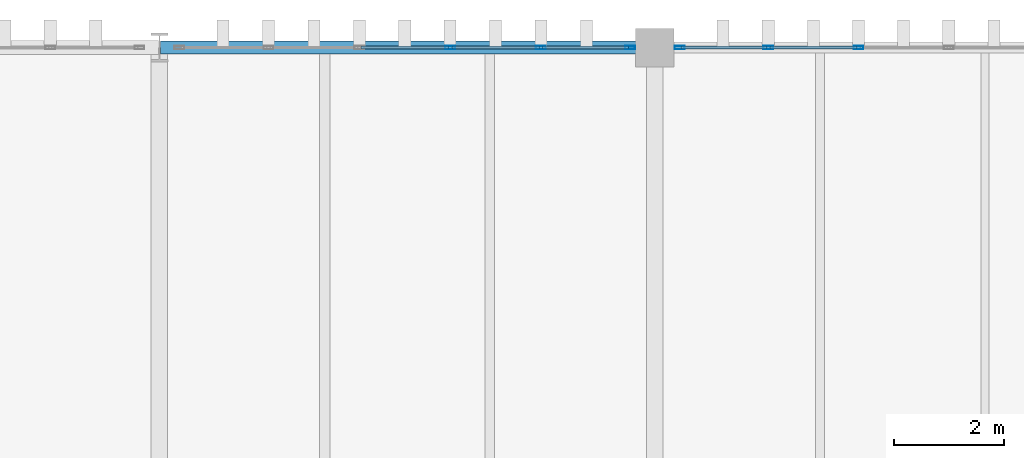
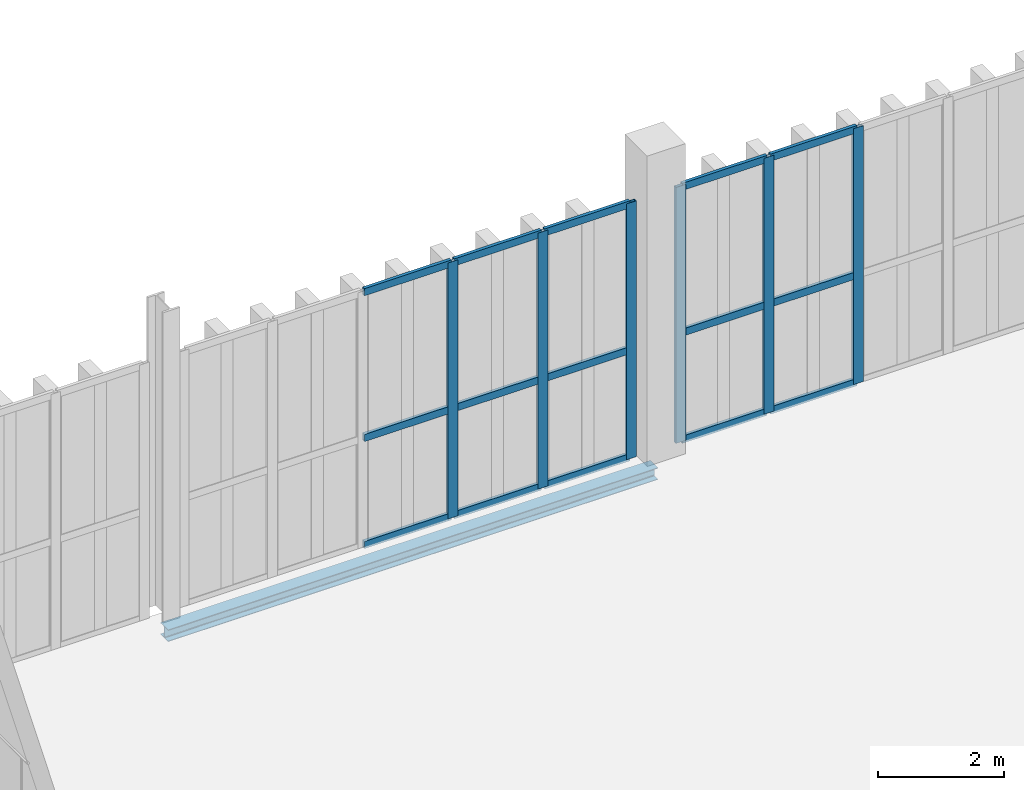
# One storey, part 144 of 211: 21 members, 1 beam, 2 elements without a shape of their own.
"""IFC4 building model written with IfcOpenShell, lengths in metres."""

from ifc_helpers import new_model, si_unit, direction, frame, origin, origin_2d, place, context, subcontext, project, spatial, hollow_rectangle, i_section, extrude, material, layer, layer_set, material_profile, profile_set, type_object, element, aggregate, save


model = new_model("IFC4")

# Units and contexts
model_context = context("Model", 3, precision=1e-05, world=origin(), true_north=direction((0.0, 1.0)))
body_context = subcontext(model_context, "Body", "Model", "MODEL_VIEW")
ifc_project = project(units=[si_unit("LENGTHUNIT", "METRE"), si_unit("AREAUNIT", "SQUARE_METRE"), si_unit("VOLUMEUNIT", "CUBIC_METRE"), si_unit("PLANEANGLEUNIT", "RADIAN"), si_unit("MASSUNIT", "GRAM", prefix="KILO")], contexts=[model_context])

# Site, building, storey
site_placement = place(None, origin())
site = spatial("IfcSite", under=ifc_project, at=site_placement, CompositionType="ELEMENT")
building_placement = place(site_placement, origin())
building = spatial("IfcBuilding", under=site, at=building_placement, Name="Barlavento Convention Centre", CompositionType="ELEMENT")
storey_placement = place(building_placement, frame((0.0, 0.0, 6.0)))
storey = spatial("IfcBuildingStorey", under=building, at=storey_placement, Name="L01", CompositionType="ELEMENT", Elevation=6.0)

# Curtain wall, members
ifc_material_1 = material(Name="Powder-coated aluminium and Low-E glass", Category="aluminium")
ifc_layer = layer(ifc_material_1, 0.179931640625)
ifc_layer_set = layer_set([ifc_layer], Name="ARC-CW-EXH-L01")
curtain_wall_type = type_object("IfcCurtainWallType", Name="ARC-CW-EXH-L01", PredefinedType="NOTDEFINED", material=ifc_layer_set)
curtain_wall_1_placement = place(storey_placement, origin())
curtain_wall_1 = element("IfcCurtainWall", 1, at=curtain_wall_1_placement, inside=storey, type_object=curtain_wall_type, Name="L01 unitised curtain wall CW04", PredefinedType="NOTDEFINED")
ifc_material_2 = material(Name="Powder-coated aluminium", Category="aluminium")
ifc_material_profile_1 = material_profile(ifc_material_2, hollow_rectangle(XDim=0.06005859375, YDim=0.179931640625, WallThickness=0.0048828125, at=origin_2d()), Name="AL-MULL 60x180x5")
ifc_profile_set_1 = profile_set([ifc_material_profile_1], Name="Powder-coated aluminium")
member_type_1 = type_object("IfcMemberType", Name="ARC-CWM-60X180", PredefinedType="MULLION", material=ifc_profile_set_1)
member_1_placement = place(storey_placement, frame((77.28076171875, 135.0, 0.0), z_axis=(0.0, 0.0, 1.0), x_axis=(0.0, 1.0, 0.0)))
member_1 = element("IfcMember", 2, at=member_1_placement, type_object=member_type_1, Name="CW04 mullion 4", PredefinedType="MULLION", context=body_context, shape_type="SweptSolid", body=[
    extrude(hollow_rectangle(XDim=0.06005859375, YDim=0.179931640625, WallThickness=0.0048828125, at=origin_2d()), origin(), (0.0, 0.0, 1.0), 4.949951171875),
])
member_2_placement = place(storey_placement, frame((78.930419921875, 135.0, 0.0), z_axis=(0.0, 0.0, 1.0), x_axis=(0.0, 1.0, 0.0)))
member_2 = element("IfcMember", 3, at=member_2_placement, type_object=member_type_1, Name="CW04 mullion 5", PredefinedType="MULLION", context=body_context, shape_type="SweptSolid", body=[
    extrude(hollow_rectangle(XDim=0.06005859375, YDim=0.179931640625, WallThickness=0.0048828125, at=origin_2d()), origin(), (0.0, 0.0, 1.0), 4.949951171875),
])
member_3_placement = place(storey_placement, frame((80.550048828125, 135.0, 0.0), z_axis=(0.0, 0.0, 1.0), x_axis=(0.0, 1.0, 0.0)))
member_3 = element("IfcMember", 4, at=member_3_placement, type_object=member_type_1, Name="CW04 mullion 6", PredefinedType="MULLION", context=body_context, shape_type="SweptSolid", body=[
    extrude(hollow_rectangle(XDim=0.06005859375, YDim=0.179931640625, WallThickness=0.0048828125, at=origin_2d()), origin(), (0.0, 0.0, 1.0), 4.949951171875),
])

curtain_wall_2_placement = place(storey_placement, origin())
curtain_wall_2 = element("IfcCurtainWall", 5, at=curtain_wall_2_placement, inside=storey, type_object=curtain_wall_type, Name="L01 unitised curtain wall CW04", PredefinedType="NOTDEFINED")
member_4_placement = place(storey_placement, frame((81.449951171875, 135.0, 0.0), z_axis=(0.0, 0.0, 1.0), x_axis=(0.0, 1.0, 0.0)))
member_4 = element("IfcMember", 6, at=member_4_placement, type_object=member_type_1, Name="CW04 mullion 1", PredefinedType="MULLION", context=body_context, shape_type="SweptSolid", body=[
    extrude(hollow_rectangle(XDim=0.06005859375, YDim=0.179931640625, WallThickness=0.0048828125, at=origin_2d()), origin(), (0.0, 0.0, 1.0), 4.949951171875),
])
member_5_placement = place(storey_placement, frame((83.06005859375, 135.0, 0.0), z_axis=(0.0, 0.0, 1.0), x_axis=(0.0, 1.0, 0.0)))
member_5 = element("IfcMember", 7, at=member_5_placement, type_object=member_type_1, Name="CW04 mullion 2", PredefinedType="MULLION", context=body_context, shape_type="SweptSolid", body=[
    extrude(hollow_rectangle(XDim=0.06005859375, YDim=0.179931640625, WallThickness=0.0048828125, at=origin_2d()), origin(), (0.0, 0.0, 1.0), 4.949951171875),
])
member_6_placement = place(storey_placement, frame((84.699951171875, 135.0, 0.0), z_axis=(0.0, 0.0, 1.0), x_axis=(0.0, 1.0, 0.0)))
member_6 = element("IfcMember", 8, at=member_6_placement, type_object=member_type_1, Name="CW04 mullion 3", PredefinedType="MULLION", context=body_context, shape_type="SweptSolid", body=[
    extrude(hollow_rectangle(XDim=0.06005859375, YDim=0.179931640625, WallThickness=0.0048828125, at=origin_2d()), origin(), (0.0, 0.0, 1.0), 4.949951171875),
])

# Member
ifc_material_profile_2 = material_profile(ifc_material_2, hollow_rectangle(XDim=0.06005859375, YDim=0.139892578125, WallThickness=0.00390625, at=origin_2d()), Name="AL-TRAN 60x140x4")
ifc_profile_set_2 = profile_set([ifc_material_profile_2], Name="Powder-coated aluminium")
member_type_2 = type_object("IfcMemberType", Name="ARC-CWT-60X140", PredefinedType="USERDEFINED", material=ifc_profile_set_2)
member_7_placement = place(storey_placement, frame((75.6611328125, 135.0, 0.030029296875), z_axis=(1.0, 0.0, 0.0), x_axis=(0.0, 1.0, 0.0)))
member_7 = element("IfcMember", 9, at=member_7_placement, type_object=member_type_2, Name="CW04 transom 3.1", ObjectType="TRANSOM", PredefinedType="USERDEFINED", context=body_context, shape_type="SweptSolid", body=[
    extrude(hollow_rectangle(XDim=0.06005859375, YDim=0.139892578125, WallThickness=0.00390625, at=origin_2d()), origin(), (0.0, 0.0, 1.0), 1.589599609375),
])

member_8_placement = place(storey_placement, frame((75.6611328125, 135.0, 2.10009765625), z_axis=(1.0, 0.0, 0.0), x_axis=(0.0, 1.0, 0.0)))
member_8 = element("IfcMember", 10, at=member_8_placement, type_object=member_type_2, Name="CW04 transom 3.2", ObjectType="TRANSOM", PredefinedType="USERDEFINED", context=body_context, shape_type="SweptSolid", body=[
    extrude(hollow_rectangle(XDim=0.06005859375, YDim=0.139892578125, WallThickness=0.00390625, at=origin_2d()), origin(), (0.0, 0.0, 1.0), 1.589599609375),
])

member_9_placement = place(storey_placement, frame((75.6611328125, 135.0, 4.919921875), z_axis=(1.0, 0.0, 0.0), x_axis=(0.0, 1.0, 0.0)))
member_9 = element("IfcMember", 11, at=member_9_placement, type_object=member_type_2, Name="CW04 transom 3.3", ObjectType="TRANSOM", PredefinedType="USERDEFINED", context=body_context, shape_type="SweptSolid", body=[
    extrude(hollow_rectangle(XDim=0.06005859375, YDim=0.139892578125, WallThickness=0.00390625, at=origin_2d()), origin(), (0.0, 0.0, 1.0), 1.589599609375),
])

member_10_placement = place(storey_placement, frame((77.310791015625, 135.0, 0.030029296875), z_axis=(1.0, 0.0, 0.0), x_axis=(0.0, 1.0, 0.0)))
member_10 = element("IfcMember", 12, at=member_10_placement, type_object=member_type_2, Name="CW04 transom 4.1", ObjectType="TRANSOM", PredefinedType="USERDEFINED", context=body_context, shape_type="SweptSolid", body=[
    extrude(hollow_rectangle(XDim=0.06005859375, YDim=0.139892578125, WallThickness=0.00390625, at=origin_2d()), origin(), (0.0, 0.0, 1.0), 1.589599609375),
])

member_11_placement = place(storey_placement, frame((77.310791015625, 135.0, 2.10009765625), z_axis=(1.0, 0.0, 0.0), x_axis=(0.0, 1.0, 0.0)))
member_11 = element("IfcMember", 13, at=member_11_placement, type_object=member_type_2, Name="CW04 transom 4.2", ObjectType="TRANSOM", PredefinedType="USERDEFINED", context=body_context, shape_type="SweptSolid", body=[
    extrude(hollow_rectangle(XDim=0.06005859375, YDim=0.139892578125, WallThickness=0.00390625, at=origin_2d()), origin(), (0.0, 0.0, 1.0), 1.589599609375),
])

member_12_placement = place(storey_placement, frame((77.310791015625, 135.0, 4.919921875), z_axis=(1.0, 0.0, 0.0), x_axis=(0.0, 1.0, 0.0)))
member_12 = element("IfcMember", 14, at=member_12_placement, type_object=member_type_2, Name="CW04 transom 4.3", ObjectType="TRANSOM", PredefinedType="USERDEFINED", context=body_context, shape_type="SweptSolid", body=[
    extrude(hollow_rectangle(XDim=0.06005859375, YDim=0.139892578125, WallThickness=0.00390625, at=origin_2d()), origin(), (0.0, 0.0, 1.0), 1.589599609375),
])

member_13_placement = place(storey_placement, frame((78.96044921875, 135.0, 0.030029296875), z_axis=(1.0, 0.0, 0.0), x_axis=(0.0, 1.0, 0.0)))
member_13 = element("IfcMember", 15, at=member_13_placement, type_object=member_type_2, Name="CW04 transom 5.1", ObjectType="TRANSOM", PredefinedType="USERDEFINED", context=body_context, shape_type="SweptSolid", body=[
    extrude(hollow_rectangle(XDim=0.06005859375, YDim=0.139892578125, WallThickness=0.00390625, at=origin_2d()), origin(), (0.0, 0.0, 1.0), 1.5595703125),
])

member_14_placement = place(storey_placement, frame((78.96044921875, 135.0, 2.10009765625), z_axis=(1.0, 0.0, 0.0), x_axis=(0.0, 1.0, 0.0)))
member_14 = element("IfcMember", 16, at=member_14_placement, type_object=member_type_2, Name="CW04 transom 5.2", ObjectType="TRANSOM", PredefinedType="USERDEFINED", context=body_context, shape_type="SweptSolid", body=[
    extrude(hollow_rectangle(XDim=0.06005859375, YDim=0.139892578125, WallThickness=0.00390625, at=origin_2d()), origin(), (0.0, 0.0, 1.0), 1.5595703125),
])

member_15_placement = place(storey_placement, frame((78.96044921875, 135.0, 4.919921875), z_axis=(1.0, 0.0, 0.0), x_axis=(0.0, 1.0, 0.0)))
member_15 = element("IfcMember", 17, at=member_15_placement, type_object=member_type_2, Name="CW04 transom 5.3", ObjectType="TRANSOM", PredefinedType="USERDEFINED", context=body_context, shape_type="SweptSolid", body=[
    extrude(hollow_rectangle(XDim=0.06005859375, YDim=0.139892578125, WallThickness=0.00390625, at=origin_2d()), origin(), (0.0, 0.0, 1.0), 1.5595703125),
])

aggregate(curtain_wall_1, [member_1, member_2, member_3, member_7, member_8, member_9, member_10, member_11, member_12, member_13, member_14, member_15])

member_16_placement = place(storey_placement, frame((81.47998046875, 135.0, 0.030029296875), z_axis=(1.0, 0.0, 0.0), x_axis=(0.0, 1.0, 0.0)))
member_16 = element("IfcMember", 18, at=member_16_placement, type_object=member_type_2, Name="CW04 transom 1.1", ObjectType="TRANSOM", PredefinedType="USERDEFINED", context=body_context, shape_type="SweptSolid", body=[
    extrude(hollow_rectangle(XDim=0.06005859375, YDim=0.139892578125, WallThickness=0.00390625, at=origin_2d()), origin(), (0.0, 0.0, 1.0), 1.550048828125),
])

member_17_placement = place(storey_placement, frame((81.47998046875, 135.0, 2.10009765625), z_axis=(1.0, 0.0, 0.0), x_axis=(0.0, 1.0, 0.0)))
member_17 = element("IfcMember", 19, at=member_17_placement, type_object=member_type_2, Name="CW04 transom 1.2", ObjectType="TRANSOM", PredefinedType="USERDEFINED", context=body_context, shape_type="SweptSolid", body=[
    extrude(hollow_rectangle(XDim=0.06005859375, YDim=0.139892578125, WallThickness=0.00390625, at=origin_2d()), origin(), (0.0, 0.0, 1.0), 1.550048828125),
])

member_18_placement = place(storey_placement, frame((81.47998046875, 135.0, 4.919921875), z_axis=(1.0, 0.0, 0.0), x_axis=(0.0, 1.0, 0.0)))
member_18 = element("IfcMember", 20, at=member_18_placement, type_object=member_type_2, Name="CW04 transom 1.3", ObjectType="TRANSOM", PredefinedType="USERDEFINED", context=body_context, shape_type="SweptSolid", body=[
    extrude(hollow_rectangle(XDim=0.06005859375, YDim=0.139892578125, WallThickness=0.00390625, at=origin_2d()), origin(), (0.0, 0.0, 1.0), 1.550048828125),
])

member_19_placement = place(storey_placement, frame((83.090087890625, 135.0, 0.030029296875), z_axis=(1.0, 0.0, 0.0), x_axis=(0.0, 1.0, 0.0)))
member_19 = element("IfcMember", 21, at=member_19_placement, type_object=member_type_2, Name="CW04 transom 2.1", ObjectType="TRANSOM", PredefinedType="USERDEFINED", context=body_context, shape_type="SweptSolid", body=[
    extrude(hollow_rectangle(XDim=0.06005859375, YDim=0.139892578125, WallThickness=0.00390625, at=origin_2d()), origin(), (0.0, 0.0, 1.0), 1.579833984375),
])

member_20_placement = place(storey_placement, frame((83.090087890625, 135.0, 2.10009765625), z_axis=(1.0, 0.0, 0.0), x_axis=(0.0, 1.0, 0.0)))
member_20 = element("IfcMember", 22, at=member_20_placement, type_object=member_type_2, Name="CW04 transom 2.2", ObjectType="TRANSOM", PredefinedType="USERDEFINED", context=body_context, shape_type="SweptSolid", body=[
    extrude(hollow_rectangle(XDim=0.06005859375, YDim=0.139892578125, WallThickness=0.00390625, at=origin_2d()), origin(), (0.0, 0.0, 1.0), 1.579833984375),
])

member_21_placement = place(storey_placement, frame((83.090087890625, 135.0, 4.919921875), z_axis=(1.0, 0.0, 0.0), x_axis=(0.0, 1.0, 0.0)))
member_21 = element("IfcMember", 23, at=member_21_placement, type_object=member_type_2, Name="CW04 transom 2.3", ObjectType="TRANSOM", PredefinedType="USERDEFINED", context=body_context, shape_type="SweptSolid", body=[
    extrude(hollow_rectangle(XDim=0.06005859375, YDim=0.139892578125, WallThickness=0.00390625, at=origin_2d()), origin(), (0.0, 0.0, 1.0), 1.579833984375),
])

aggregate(curtain_wall_2, [member_4, member_5, member_6, member_16, member_17, member_18, member_19, member_20, member_21])

# Beam
ifc_material_3 = material(Name="Steel S355", Category="steel")
ifc_material_profile_3 = material_profile(ifc_material_3, i_section(OverallWidth=0.239990234375, OverallDepth=0.22998046875, WebThickness=0.007568359375, FlangeThickness=0.011962890625, FilletRadius=0.02099609375, at=origin_2d()), Name="HEA 240")
ifc_profile_set_3 = profile_set([ifc_material_profile_3], Name="Steel S355")
beam_type = type_object("IfcBeamType", Name="STR-BM-SPN-HEA240", PredefinedType="SPANDREL", material=ifc_profile_set_3)
beam_placement = place(storey_placement, frame((72.02001953125, 135.0, -0.39501953125), z_axis=(1.0, 0.0, 0.0), x_axis=(0.0, 1.0, 0.0)))
element("IfcBeam", 24, at=beam_placement, inside=storey, type_object=beam_type, Name="L01 primary girder SP05", PredefinedType="SPANDREL", context=body_context, shape_type="SweptSolid", body=[
    extrude(i_section(OverallWidth=0.239990234375, OverallDepth=0.22998046875, WebThickness=0.007568359375, FlangeThickness=0.011962890625, FilletRadius=0.02099609375, at=origin_2d()), origin(), (0.0, 0.0, 1.0), 8.9599609375),
])

save(model, "model.ifc")
